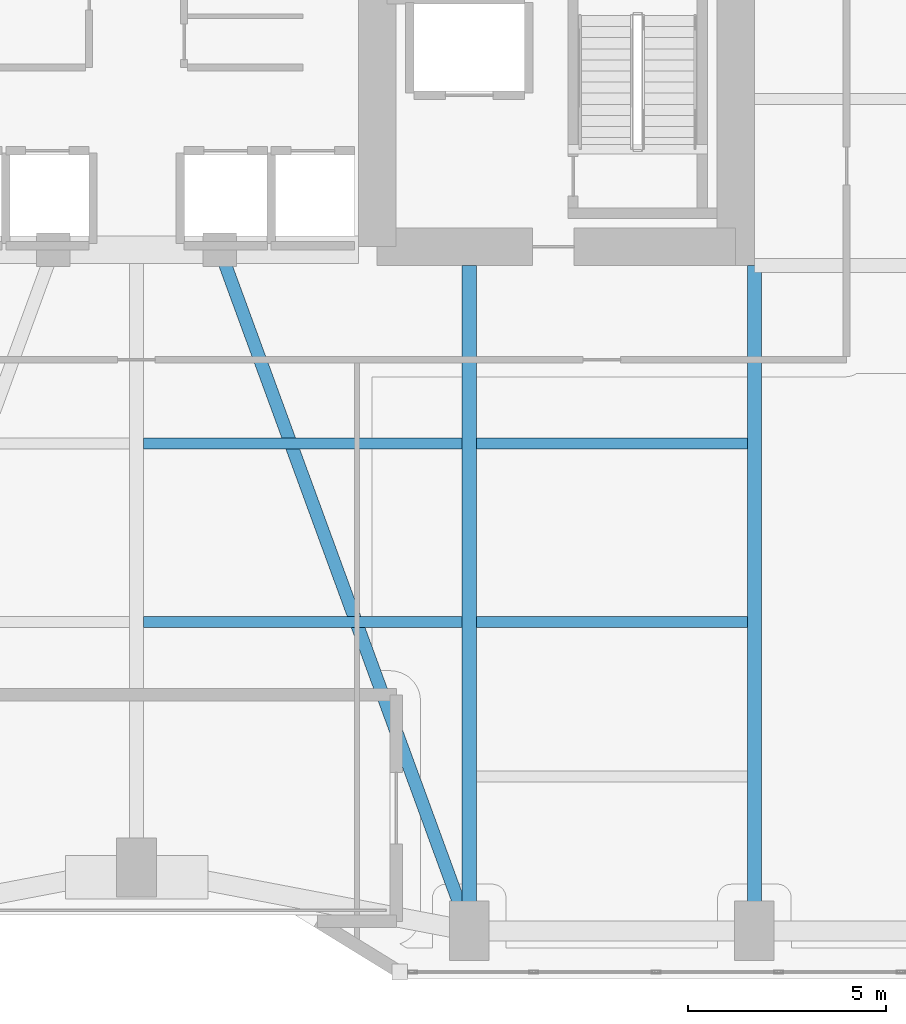
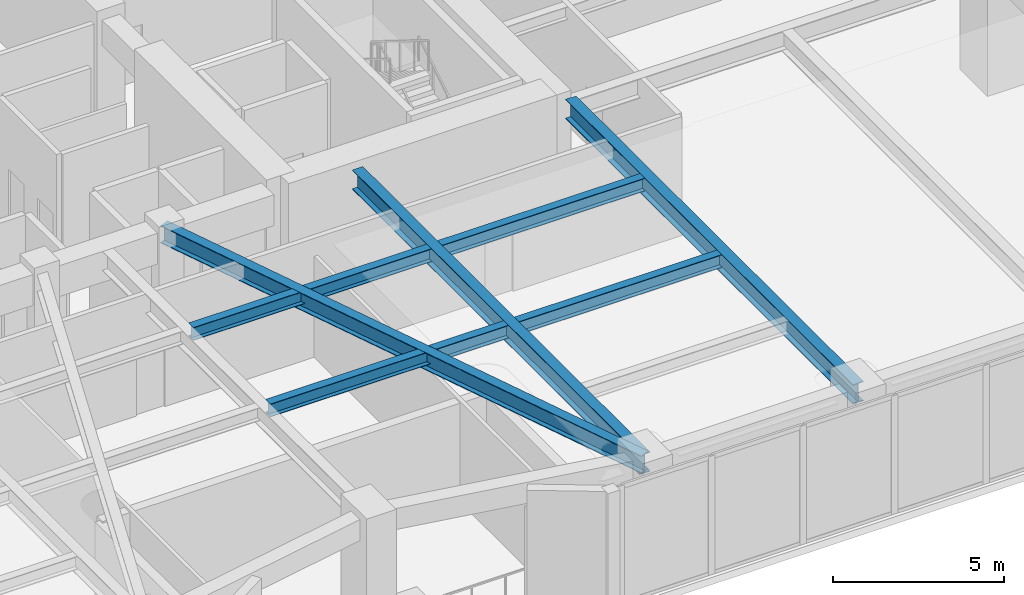
# One storey, part 5 of 25: 7 beams.
"""IFC4 building model written with IfcOpenShell, lengths in metres."""

from ifc_helpers import new_model, si_unit, direction, frame, origin, origin_2d, place, context, subcontext, project, spatial, i_section, extrude, material, material_profile, profile_set, type_object, element, save


model = new_model("IFC4")

# Units and contexts
model_context = context("Model", 3, precision=1e-05, world=origin(), true_north=direction((0.0, 1.0)))
body_context = subcontext(model_context, "Body", "Model", "MODEL_VIEW")
ifc_project = project(units=[si_unit("LENGTHUNIT", "METRE"), si_unit("AREAUNIT", "SQUARE_METRE"), si_unit("VOLUMEUNIT", "CUBIC_METRE"), si_unit("PLANEANGLEUNIT", "RADIAN"), si_unit("MASSUNIT", "GRAM", prefix="KILO")], contexts=[model_context])

# Site, building, storey
site_placement = place(None, origin())
site = spatial("IfcSite", under=ifc_project, at=site_placement, CompositionType="ELEMENT")
building_placement = place(site_placement, origin())
building = spatial("IfcBuilding", under=site, at=building_placement, Name="Kiyonajd Concourse Tower", CompositionType="ELEMENT")
storey_placement = place(building_placement, frame((0.0, 0.0, 68.39990234375)))
storey = spatial("IfcBuildingStorey", under=building, at=storey_placement, Name="L18", CompositionType="ELEMENT", Elevation=68.39990234375)

# Beams
ifc_material = material(Name="Steel ASTM A992 Grade 50", Category="steel")
ifc_material_profile_1 = material_profile(ifc_material, i_section(OverallWidth=0.280029296875, OverallDepth=0.462890625, WebThickness=0.0107421875, FlangeThickness=0.017333984375, at=origin_2d()), Name="W460X113")
ifc_profile_set_1 = profile_set([ifc_material_profile_1], Name="Steel ASTM A992 Grade 50")
beam_type_1 = type_object("IfcBeamType", Name="BM-JST-460A", PredefinedType="JOIST", material=ifc_profile_set_1)
beam_1_placement = place(storey_placement, frame((48.177490234375, 18.60009765625, 4.008544921875), z_axis=(1.0, 0.0, 0.0), x_axis=(0.0, 1.0, 0.0)))
element("IfcBeam", 1, at=beam_1_placement, inside=storey, type_object=beam_type_1, Name="L18 Secondary Floor Joist", PredefinedType="JOIST", context=body_context, shape_type="SweptSolid", body=[
    extrude(i_section(OverallWidth=0.280029296875, OverallDepth=0.462890625, WebThickness=0.0107421875, FlangeThickness=0.017333984375, at=origin_2d()), origin(), (0.0, 0.0, 1.0), 8.044921875),
])
beam_2_placement = place(storey_placement, frame((56.577392578125, 18.60009765625, 4.008544921875), z_axis=(1.0, 0.0, 0.0), x_axis=(0.0, 1.0, 0.0)))
element("IfcBeam", 2, at=beam_2_placement, inside=storey, type_object=beam_type_1, Name="L18 Secondary Floor Joist", PredefinedType="JOIST", context=body_context, shape_type="SweptSolid", body=[
    extrude(i_section(OverallWidth=0.280029296875, OverallDepth=0.462890625, WebThickness=0.0107421875, FlangeThickness=0.017333984375, at=origin_2d()), origin(), (0.0, 0.0, 1.0), 6.84521484375),
])
beam_3_placement = place(storey_placement, frame((48.177490234375, 23.10009765625, 4.008544921875), z_axis=(1.0, 0.0, 0.0), x_axis=(0.0, 1.0, 0.0)))
element("IfcBeam", 3, at=beam_3_placement, inside=storey, type_object=beam_type_1, Name="L18 Secondary Floor Joist", PredefinedType="JOIST", context=body_context, shape_type="SweptSolid", body=[
    extrude(i_section(OverallWidth=0.280029296875, OverallDepth=0.462890625, WebThickness=0.0107421875, FlangeThickness=0.017333984375, at=origin_2d()), origin(), (0.0, 0.0, 1.0), 8.044921875),
])
beam_4_placement = place(storey_placement, frame((56.577392578125, 23.10009765625, 4.008544921875), z_axis=(1.0, 0.0, 0.0), x_axis=(0.0, 1.0, 0.0)))
element("IfcBeam", 4, at=beam_4_placement, inside=storey, type_object=beam_type_1, Name="L18 Secondary Floor Joist", PredefinedType="JOIST", context=body_context, shape_type="SweptSolid", body=[
    extrude(i_section(OverallWidth=0.280029296875, OverallDepth=0.462890625, WebThickness=0.0107421875, FlangeThickness=0.017333984375, at=origin_2d()), origin(), (0.0, 0.0, 1.0), 6.84521484375),
])
ifc_material_profile_2 = material_profile(ifc_material, i_section(OverallWidth=0.326904296875, OverallDepth=0.6220703125, WebThickness=0.015380859375, FlangeThickness=0.0244140625, at=origin_2d()), Name="W610X195")
ifc_profile_set_2 = profile_set([ifc_material_profile_2], Name="Steel ASTM A992 Grade 50")
beam_type_2 = type_object("IfcBeamType", Name="BM-TWR-610A", PredefinedType="BEAM", material=ifc_profile_set_2)
beam_5_placement = place(storey_placement, frame((50.10009765625, 28.0, 3.92919921875), z_axis=(0.343925269715, -0.938997022813, 0.0), x_axis=(0.938997022813, 0.343925269715, 0.0)))
element("IfcBeam", 5, at=beam_5_placement, inside=storey, type_object=beam_type_2, Name="L18 Core Tie Girder", PredefinedType="BEAM", context=body_context, shape_type="SweptSolid", body=[
    extrude(i_section(OverallWidth=0.326904296875, OverallDepth=0.6220703125, WebThickness=0.015380859375, FlangeThickness=0.0244140625, at=origin_2d()), origin(), (0.0, 0.0, 1.0), 18.3173828125),
])
ifc_material_profile_3 = material_profile(ifc_material, i_section(OverallWidth=0.35498046875, OverallDepth=0.695068359375, WebThickness=0.015380859375, FlangeThickness=0.02490234375, at=origin_2d()), Name="W690X217")
ifc_profile_set_3 = profile_set([ifc_material_profile_3], Name="Steel ASTM A992 Grade 50")
beam_type_3 = type_object("IfcBeamType", Name="BM-TWR-690", PredefinedType="BEAM", material=ifc_profile_set_3)
for number, where, z_axis, x_axis, name in (
    (6, (56.39990234375, 10.800048828125, 3.892578125), (0.0, 1.0, 0.0), (-1.0, 0.0, 0.0), "L18 South Lease Girder"),
    (7, (63.60009765625, 10.800048828125, 3.892578125), (0.0, 1.0, 0.0), (-1.0, 0.0, 0.0), "L18 South Lease Girder"),
):
    element("IfcBeam", number, at=place(storey_placement, frame(where, z_axis=z_axis, x_axis=x_axis)), inside=storey, type_object=beam_type_3, Name=name, PredefinedType="BEAM", context=body_context, shape_type="SweptSolid", body=[
        extrude(i_section(OverallWidth=0.35498046875, OverallDepth=0.695068359375, WebThickness=0.015380859375, FlangeThickness=0.02490234375, at=origin_2d()), origin(), (0.0, 0.0, 1.0), 16.800048828125),
    ])

save(model, "model.ifc")
